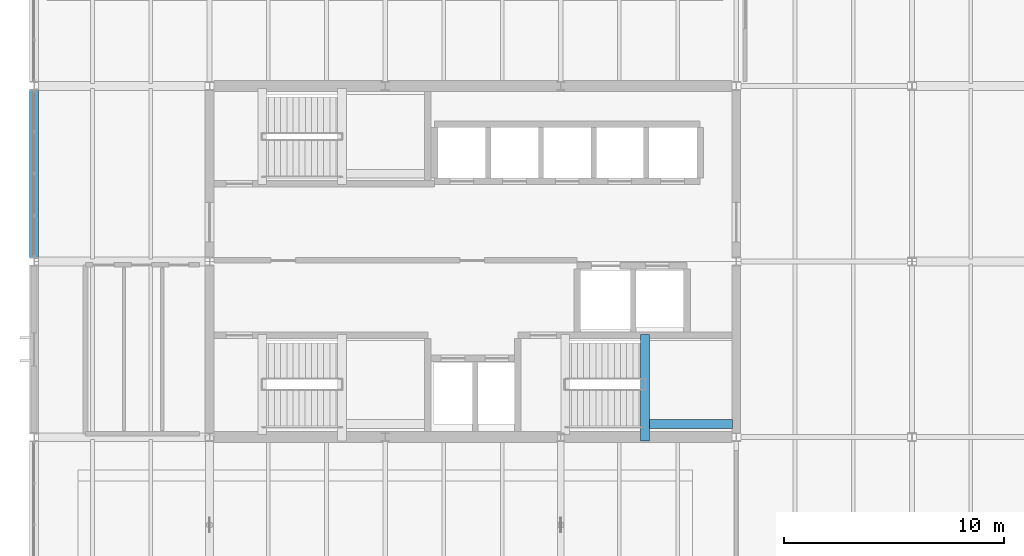
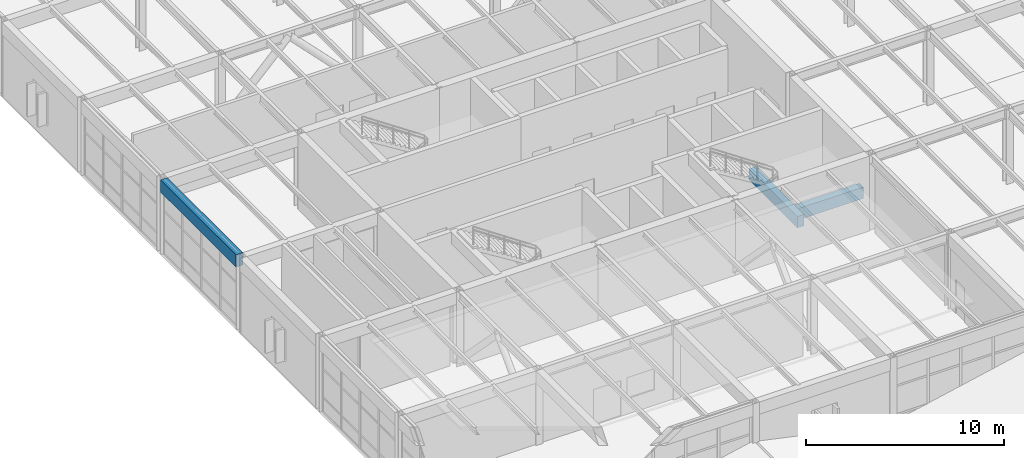
# One storey, part 14 of 60: 3 beams.
"""IFC4 building model written with IfcOpenShell, lengths in metres."""

from ifc_helpers import new_model, si_unit, direction, frame, origin, origin_2d, place, context, subcontext, project, spatial, rectangle, extrude, material, material_profile, profile_set, type_object, element, save


model = new_model("IFC4")

# Units and contexts
model_context = context("Model", 3, precision=1e-05, world=origin(), true_north=direction((0.0, 1.0)))
body_context = subcontext(model_context, "Body", "Model", "MODEL_VIEW")
ifc_project = project(units=[si_unit("LENGTHUNIT", "METRE"), si_unit("AREAUNIT", "SQUARE_METRE"), si_unit("VOLUMEUNIT", "CUBIC_METRE"), si_unit("PLANEANGLEUNIT", "RADIAN"), si_unit("MASSUNIT", "GRAM", prefix="KILO")], contexts=[model_context])

# Site, building, storey
site_placement = place(None, origin())
site = spatial("IfcSite", under=ifc_project, at=site_placement, CompositionType="ELEMENT")
building_placement = place(site_placement, origin())
building = spatial("IfcBuilding", under=site, at=building_placement, Name="Varnela Railside Interchange", CompositionType="ELEMENT")
storey_placement = place(building_placement, frame((0.0, 0.0, 6.300048828125)))
storey = spatial("IfcBuildingStorey", under=building, at=storey_placement, Name="L01", CompositionType="ELEMENT", Elevation=6.300048828125)

# Beams
ifc_material_1 = material(Name="Concrete C40", Category="concrete")
ifc_material_profile_1 = material_profile(ifc_material_1, rectangle(XDim=0.39990234375, YDim=0.699951171875, at=origin_2d()), Name="RC 400x700")
ifc_profile_set_1 = profile_set([ifc_material_profile_1], Name="Concrete C40")
beam_type_1 = type_object("IfcBeamType", Name="Concrete Tie Beam B-01", PredefinedType="BEAM", material=ifc_profile_set_1)
beam_1_placement = place(storey_placement, frame((31.840087890625, 53.820068359375, 1.93994140625), z_axis=(0.0, 1.0, 0.0), x_axis=(-1.0, 0.0, 0.0)))
element("IfcBeam", 1, at=beam_1_placement, inside=storey, type_object=beam_type_1, Name="Concrete Tie Beam B-01 (L01) (BM-1811)", PredefinedType="BEAM", context=body_context, shape_type="SweptSolid", body=[
    extrude(rectangle(XDim=0.39990234375, YDim=0.699951171875, at=origin_2d()), origin(), (0.0, 0.0, 1.0), 4.85986328125),
])
beam_2_placement = place(storey_placement, frame((32.0400390625, 54.60009765625, 1.93994140625), z_axis=(1.0, 0.0, 0.0), x_axis=(0.0, 1.0, 0.0)))
element("IfcBeam", 2, at=beam_2_placement, inside=storey, type_object=beam_type_1, Name="Concrete Tie Beam B-01 (L01) (BM-1800)", PredefinedType="BEAM", context=body_context, shape_type="SweptSolid", body=[
    extrude(rectangle(XDim=0.39990234375, YDim=0.699951171875, at=origin_2d()), origin(), (0.0, 0.0, 1.0), 3.780029296875),
])
ifc_material_2 = material(Name="Concrete C40 precast", Category="concrete")
ifc_material_profile_2 = material_profile(ifc_material_2, rectangle(XDim=0.39990234375, YDim=0.75, at=origin_2d()), Name="PC 400x750")
ifc_profile_set_2 = profile_set([ifc_material_profile_2], Name="Concrete C40 precast")
beam_type_2 = type_object("IfcBeamType", Name="Precast Facade Spandrel SP-03", PredefinedType="SPANDREL", material=ifc_profile_set_2)
beam_3_placement = place(storey_placement, frame((4.0, 62.193603515625, 4.224853515625), z_axis=(0.0, 1.0, 0.0), x_axis=(-1.0, 0.0, 0.0)))
element("IfcBeam", 3, at=beam_3_placement, inside=storey, type_object=beam_type_2, Name="Precast Facade Spandrel SP-03 (L01) (BM-1741)", PredefinedType="SPANDREL", context=body_context, shape_type="SweptSolid", body=[
    extrude(rectangle(XDim=0.39990234375, YDim=0.75, at=origin_2d()), origin(), (0.0, 0.0, 1.0), 7.61279296875),
])

save(model, "model.ifc")
